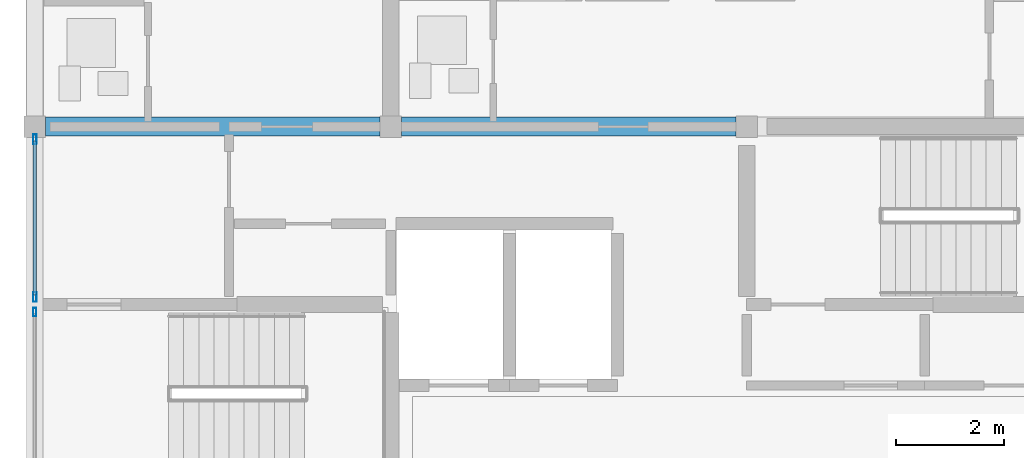
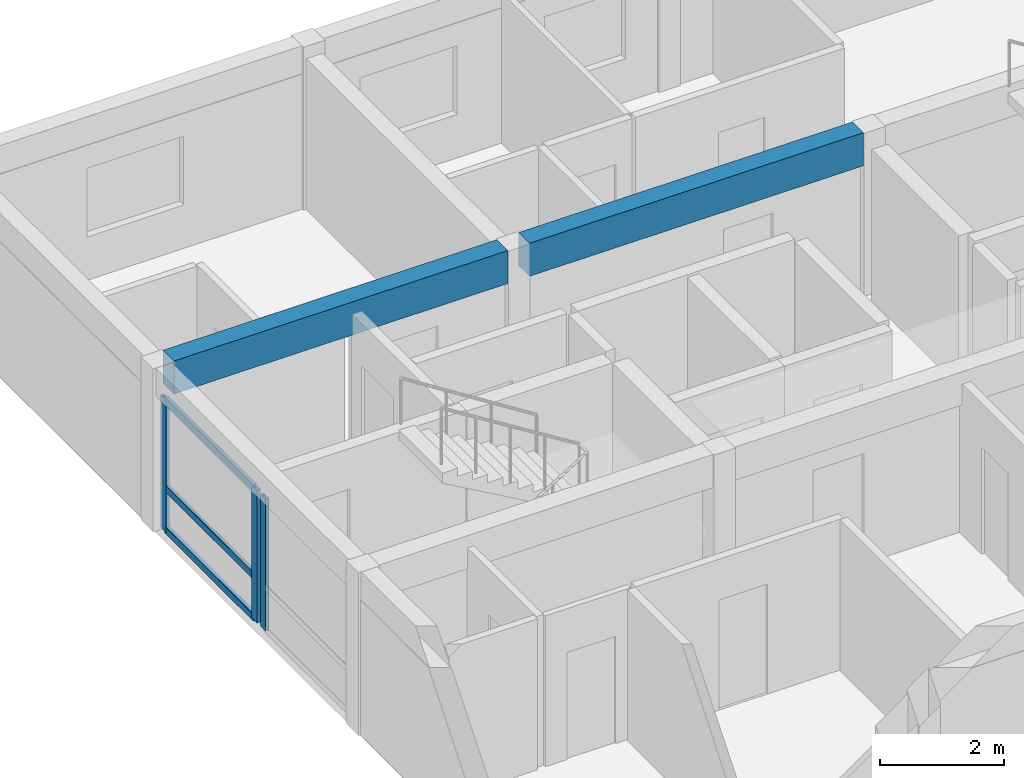
# One storey, part 6 of 53: 6 members, 2 beams, 2 elements without a shape of their own.
"""IFC4 building model written with IfcOpenShell, lengths in metres."""

from ifc_helpers import new_model, si_unit, direction, frame, origin, origin_2d, place, context, subcontext, project, spatial, rectangle, hollow_rectangle, extrude, material, material_profile, profile_set, type_object, element, aggregate, save


model = new_model("IFC4")

# Units and contexts
model_context = context("Model", 3, precision=1e-05, world=origin(), true_north=direction((0.0, 1.0)))
body_context = subcontext(model_context, "Body", "Model", "MODEL_VIEW")
ifc_project = project(units=[si_unit("LENGTHUNIT", "METRE"), si_unit("AREAUNIT", "SQUARE_METRE"), si_unit("VOLUMEUNIT", "CUBIC_METRE"), si_unit("PLANEANGLEUNIT", "RADIAN"), si_unit("MASSUNIT", "GRAM", prefix="KILO")], contexts=[model_context])

# Site, building, storey
site_placement = place(None, origin())
site = spatial("IfcSite", under=ifc_project, at=site_placement, CompositionType="ELEMENT")
building_placement = place(site_placement, origin())
building = spatial("IfcBuilding", under=site, at=building_placement, Name="Kernevlak Ridge Housing Community", CompositionType="ELEMENT")
storey_placement = place(building_placement, frame((0.0, 0.0, 18.0)))
storey = spatial("IfcBuildingStorey", under=building, at=storey_placement, Name="L05", CompositionType="ELEMENT", Elevation=18.0)

# Beams
ifc_material_1 = material(Name="Concrete C35/45", Category="concrete")
ifc_material_profile_1 = material_profile(ifc_material_1, rectangle(XDim=0.35009765625, YDim=0.64990234375, at=origin_2d()), Name="RC 350x650")
ifc_profile_set_1 = profile_set([ifc_material_profile_1], Name="Concrete C35/45")
beam_type = type_object("IfcBeamType", Name="B-02", PredefinedType="BEAM", material=ifc_profile_set_1)
beam_1_placement = place(storey_placement, frame((15.800048828125, 28.800048828125, 2.875), z_axis=(1.0, 0.0, 0.0), x_axis=(0.0, 1.0, 0.0)))
element("IfcBeam", 1, at=beam_1_placement, inside=storey, type_object=beam_type, Name="Beam B-02 L05 1440", PredefinedType="BEAM", context=body_context, shape_type="SweptSolid", body=[
    extrude(rectangle(XDim=0.35009765625, YDim=0.64990234375, at=origin_2d()), origin(), (0.0, 0.0, 1.0), 6.199951171875),
])
beam_2_placement = place(storey_placement, frame((22.39990234375, 28.800048828125, 2.875), z_axis=(1.0, 0.0, 0.0), x_axis=(0.0, 1.0, 0.0)))
element("IfcBeam", 2, at=beam_2_placement, inside=storey, type_object=beam_type, Name="Beam B-02 L05 1441", PredefinedType="BEAM", context=body_context, shape_type="SweptSolid", body=[
    extrude(rectangle(XDim=0.35009765625, YDim=0.64990234375, at=origin_2d()), origin(), (0.0, 0.0, 1.0), 6.2001953125),
])

# Curtain wall, member
ifc_material_2 = material(Name="Aluminium EN AW-6060 anodised and laminated glass", Category="aluminium")
curtain_wall_type_1 = type_object("IfcCurtainWallType", Name="CW-10", PredefinedType="NOTDEFINED", material=ifc_material_2)
curtain_wall_1_placement = place(storey_placement, origin())
curtain_wall_1 = element("IfcCurtainWall", 3, at=curtain_wall_1_placement, inside=storey, type_object=curtain_wall_type_1, Name="Curtain wall CW-10 CW-L05-154", PredefinedType="NOTDEFINED")
ifc_material_3 = material(Name="Aluminium EN AW-6060 anodised", Category="aluminium")
ifc_material_profile_2 = material_profile(ifc_material_3, hollow_rectangle(XDim=0.06005859375, YDim=0.159912109375, WallThickness=0.00390625, InnerFilletRadius=0.001953125, OuterFilletRadius=0.00390625, at=origin_2d()), Name="ALU 60x160x4")
ifc_profile_set_2 = profile_set([ifc_material_profile_2], Name="Aluminium EN AW-6060 anodised")
member_type_1 = type_object("IfcMemberType", Name="MU-02", PredefinedType="MULLION", material=ifc_profile_set_2)
member_1_placement = place(storey_placement, frame((15.60009765625, 25.360107421875, 0.0), z_axis=(0.0, 0.0, 1.0), x_axis=(-1.0, 0.0, 0.0)))
member_1 = element("IfcMember", 4, at=member_1_placement, type_object=member_type_1, Name="CW-10 mullion 2", PredefinedType="MULLION", context=body_context, shape_type="SweptSolid", body=[
    extrude(hollow_rectangle(XDim=0.06005859375, YDim=0.159912109375, WallThickness=0.00390625, InnerFilletRadius=0.001953125, OuterFilletRadius=0.00390625, at=origin_2d()), origin(), (0.0, 0.0, 1.0), 2.60009765625),
])
aggregate(curtain_wall_1, [member_1])

# Curtain wall, members
curtain_wall_type_2 = type_object("IfcCurtainWallType", Name="CW-01", PredefinedType="NOTDEFINED", material=ifc_material_2)
curtain_wall_2_placement = place(storey_placement, origin())
curtain_wall_2 = element("IfcCurtainWall", 5, at=curtain_wall_2_placement, inside=storey, type_object=curtain_wall_type_2, Name="Curtain wall CW-01 CW-L05-155", PredefinedType="NOTDEFINED")
ifc_material_profile_3 = material_profile(ifc_material_3, hollow_rectangle(XDim=0.06494140625, YDim=0.179931640625, WallThickness=0.00439453125, InnerFilletRadius=0.001953125, OuterFilletRadius=0.00439453125, at=origin_2d()), Name="ALU 65x180x4.5")
ifc_profile_set_3 = profile_set([ifc_material_profile_3], Name="Aluminium EN AW-6060 anodised")
member_type_2 = type_object("IfcMemberType", Name="MU-03", PredefinedType="MULLION", material=ifc_profile_set_3)
member_2_placement = place(storey_placement, frame((15.60009765625, 25.642578125, 0.0), z_axis=(0.0, 0.0, 1.0), x_axis=(-1.0, 0.0, 0.0)))
member_2 = element("IfcMember", 6, at=member_2_placement, type_object=member_type_2, Name="CW-01 mullion 1", PredefinedType="MULLION", context=body_context, shape_type="SweptSolid", body=[
    extrude(hollow_rectangle(XDim=0.06494140625, YDim=0.179931640625, WallThickness=0.00439453125, InnerFilletRadius=0.001953125, OuterFilletRadius=0.00439453125, at=origin_2d()), origin(), (0.0, 0.0, 1.0), 2.60009765625),
])
member_3_placement = place(storey_placement, frame((15.60009765625, 28.5673828125, 0.0), z_axis=(0.0, 0.0, 1.0), x_axis=(-1.0, 0.0, 0.0)))
member_3 = element("IfcMember", 7, at=member_3_placement, type_object=member_type_2, Name="CW-01 mullion 2", PredefinedType="MULLION", context=body_context, shape_type="SweptSolid", body=[
    extrude(hollow_rectangle(XDim=0.06494140625, YDim=0.179931640625, WallThickness=0.00439453125, InnerFilletRadius=0.001953125, OuterFilletRadius=0.00439453125, at=origin_2d()), origin(), (0.0, 0.0, 1.0), 2.60009765625),
])
ifc_material_profile_4 = material_profile(ifc_material_3, hollow_rectangle(XDim=0.06494140625, YDim=0.139892578125, WallThickness=0.00390625, InnerFilletRadius=0.001953125, OuterFilletRadius=0.00390625, at=origin_2d()), Name="ALU 65x140x4")
ifc_profile_set_4 = profile_set([ifc_material_profile_4], Name="Aluminium EN AW-6060 anodised")
member_type_3 = type_object("IfcMemberType", Name="TM-03", PredefinedType="USERDEFINED", material=ifc_profile_set_4)
member_4_placement = place(storey_placement, frame((15.60009765625, 25.675048828125, 0.032470703125), z_axis=(0.0, 1.0, 0.0), x_axis=(-1.0, 0.0, 0.0)))
member_4 = element("IfcMember", 8, at=member_4_placement, type_object=member_type_3, Name="CW-01 transom 1.1", ObjectType="TRANSOM", PredefinedType="USERDEFINED", context=body_context, shape_type="SweptSolid", body=[
    extrude(hollow_rectangle(XDim=0.06494140625, YDim=0.139892578125, WallThickness=0.00390625, InnerFilletRadius=0.001953125, OuterFilletRadius=0.00390625, at=origin_2d()), origin(), (0.0, 0.0, 1.0), 2.85986328125),
])
member_5_placement = place(storey_placement, frame((15.60009765625, 25.675048828125, 0.85009765625), z_axis=(0.0, 1.0, 0.0), x_axis=(-1.0, 0.0, 0.0)))
member_5 = element("IfcMember", 9, at=member_5_placement, type_object=member_type_3, Name="CW-01 transom 1.2", ObjectType="TRANSOM", PredefinedType="USERDEFINED", context=body_context, shape_type="SweptSolid", body=[
    extrude(hollow_rectangle(XDim=0.06494140625, YDim=0.139892578125, WallThickness=0.00390625, InnerFilletRadius=0.001953125, OuterFilletRadius=0.00390625, at=origin_2d()), origin(), (0.0, 0.0, 1.0), 2.85986328125),
])
member_6_placement = place(storey_placement, frame((15.60009765625, 25.675048828125, 2.5673828125), z_axis=(0.0, 1.0, 0.0), x_axis=(-1.0, 0.0, 0.0)))
member_6 = element("IfcMember", 10, at=member_6_placement, type_object=member_type_3, Name="CW-01 transom 1.3", ObjectType="TRANSOM", PredefinedType="USERDEFINED", context=body_context, shape_type="SweptSolid", body=[
    extrude(hollow_rectangle(XDim=0.06494140625, YDim=0.139892578125, WallThickness=0.00390625, InnerFilletRadius=0.001953125, OuterFilletRadius=0.00390625, at=origin_2d()), origin(), (0.0, 0.0, 1.0), 2.85986328125),
])
aggregate(curtain_wall_2, [member_2, member_3, member_4, member_5, member_6])

save(model, "model.ifc")
